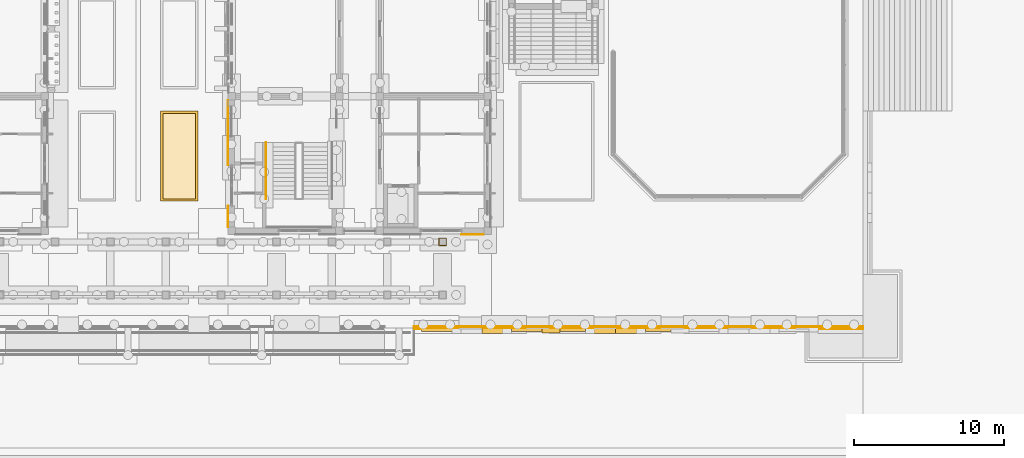
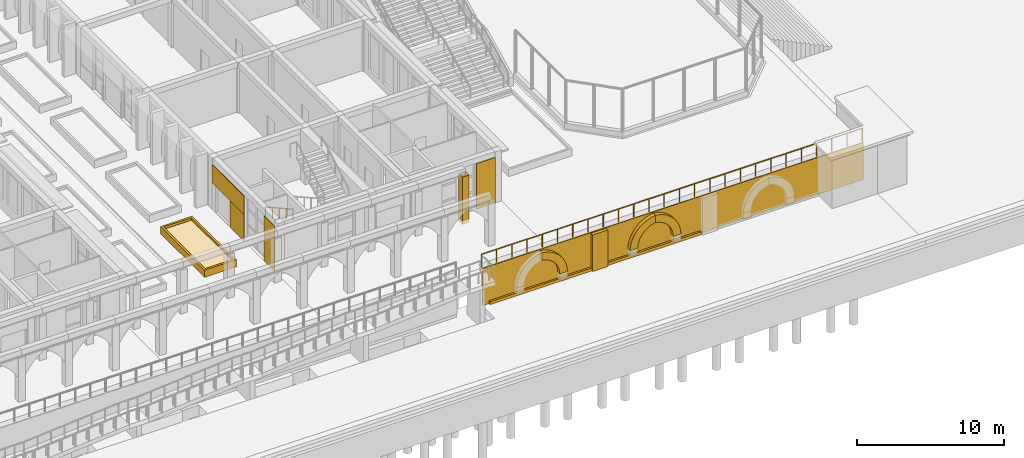
# One storey, part 126 of 161: 14 coverings, 2 railings.
"""IFC4 building model written with IfcOpenShell, lengths in metres."""

from ifc_helpers import new_model, si_unit, direction, frame, frame_2d, origin, origin_2d, place, context, subcontext, project, spatial, polyline, rectangle, circle, outline, extrude, material, layer, layer_set, type_object, element, save


model = new_model("IFC4")

# Units and contexts
model_context = context("Model", 3, precision=1e-05, world=origin(), true_north=direction((0.0, 1.0)))
body_context = subcontext(model_context, "Body", "Model", "MODEL_VIEW")
ifc_project = project(units=[si_unit("LENGTHUNIT", "METRE"), si_unit("AREAUNIT", "SQUARE_METRE"), si_unit("VOLUMEUNIT", "CUBIC_METRE"), si_unit("PLANEANGLEUNIT", "RADIAN"), si_unit("MASSUNIT", "GRAM", prefix="KILO")], contexts=[model_context])

# Site, building, storey
site_placement = place(None, origin())
site = spatial("IfcSite", under=ifc_project, at=site_placement, CompositionType="ELEMENT")
building_placement = place(site_placement, origin())
building = spatial("IfcBuilding", under=site, at=building_placement, Name="Elbe Cascade School", CompositionType="ELEMENT")
storey_placement = place(building_placement, origin())
storey = spatial("IfcBuildingStorey", under=building, at=storey_placement, Name="L00", CompositionType="ELEMENT", Elevation=0.0)

# Railing
ifc_material_1 = material(Name="Steel S355J2H, painted", Category="steel")
railing_type_1 = type_object("IfcRailingType", Name="Bar stair handrail 900", PredefinedType="HANDRAIL", material=ifc_material_1)
railing_1_placement = place(storey_placement, frame((160.10009765625, 11.89990234375, 0.16064453125)))
element("IfcRailing", 1, at=railing_1_placement, inside=storey, type_object=railing_type_1, Name="Stair handrail D0.S", PredefinedType="HANDRAIL", context=body_context, shape_type="SweptSolid", body=[
    extrude(circle(Radius=0.02392578125, at=origin_2d()), frame((0.0, 0.0, 0.8759765625), z_axis=(0.0, -0.874659101714, 0.484738543742), x_axis=(1.0, 0.0, 0.0)), (0.0, 0.0, 1.0), 4.310302734375),
    extrude(circle(Radius=0.02099609375, at=origin_2d()), origin(), (0.0, 0.0, 1.0), 0.851806640625),
    extrude(circle(Radius=0.02099609375, at=origin_2d()), frame((0.0, -0.9423828125, 0.5224609375)), (0.0, 0.0, 1.0), 0.851806640625),
    extrude(circle(Radius=0.02099609375, at=origin_2d()), frame((0.0, -1.885009765625, 1.044677734375)), (0.0, 0.0, 1.0), 0.851806640625),
    extrude(circle(Radius=0.02099609375, at=origin_2d()), frame((0.0, -2.82763671875, 1.56689453125)), (0.0, 0.0, 1.0), 0.851806640625),
    extrude(circle(Radius=0.02099609375, at=origin_2d()), frame((0.0, -3.77001953125, 2.08935546875)), (0.0, 0.0, 1.0), 0.851806640625),
])

# Coverings
ifc_material_2 = material(Name="Sandstone - red", Category="masonry")
ifc_layer_1 = layer(ifc_material_2, 0.0400390625)
ifc_layer_set_1 = layer_set([ifc_layer_1], Name="Sandstone - red")
covering_type_1 = type_object("IfcCoveringType", Name="Bars envelope Sandstone cladding, red, 40 mm", PredefinedType="CLADDING", material=ifc_layer_set_1)
covering_1_placement = place(storey_placement, frame((157.56005859375, 6.969970703125, 0.0), z_axis=(0.0, 0.0, 1.0), x_axis=(0.0, 1.0, 0.0)))
element("IfcCovering", 2, at=covering_1_placement, inside=storey, type_object=covering_type_1, Name="Sandstone cladding CV48 D.L00.w.1a.1", PredefinedType="CLADDING", context=body_context, shape_type="SweptSolid", body=[
    extrude(rectangle(XDim=1.43994140625, YDim=0.0400390625, at=origin_2d()), origin(), (0.0, 0.0, 1.0), 3.75),
])
covering_2_placement = place(storey_placement, frame((157.56005859375, 11.344970703125, 0.0), z_axis=(0.0, 0.0, 1.0), x_axis=(0.0, 1.0, 0.0)))
element("IfcCovering", 3, at=covering_2_placement, inside=storey, type_object=covering_type_1, Name="Sandstone cladding CV48 D.L00.w.1b.1", PredefinedType="CLADDING", context=body_context, shape_type="SweptSolid", body=[
    extrude(rectangle(XDim=1.909912109375, YDim=0.0400390625, at=origin_2d()), origin(), (0.0, 0.0, 1.0), 2.199951171875),
])
covering_3_placement = place(storey_placement, frame((157.56005859375, 12.570068359375, 2.2001953125), z_axis=(0.0, 0.0, 1.0), x_axis=(0.0, 1.0, 0.0)))
element("IfcCovering", 4, at=covering_3_placement, inside=storey, type_object=covering_type_1, Name="Sandstone cladding CV48 D.L00.w.1b.3", PredefinedType="CLADDING", context=body_context, shape_type="SweptSolid", body=[
    extrude(rectangle(XDim=4.360107421875, YDim=0.0400390625, at=origin_2d()), origin(), (0.0, 0.0, 1.0), 1.550048828125),
])
covering_4_placement = place(storey_placement, frame((173.89990234375, 5.760009765625, 0.0), z_axis=(0.0, 0.0, 1.0), x_axis=(1.0, 0.0, 0.0)))
element("IfcCovering", 5, at=covering_4_placement, inside=storey, type_object=covering_type_1, Name="Sandstone cladding CV48 D.L00.s.3b.1", PredefinedType="CLADDING", context=body_context, shape_type="SweptSolid", body=[
    extrude(rectangle(XDim=1.5, YDim=0.0400390625, at=origin_2d()), origin(), (0.0, 0.0, 1.0), 3.800048828125),
])
ifc_material_3 = material(Name="Sandstone - red", Category="masonry")
ifc_layer_2 = layer(ifc_material_3, 0.14990234375)
ifc_layer_set_2 = layer_set([ifc_layer_2], Name="Sandstone - red")
covering_type_2 = type_object("IfcCoveringType", Name="Plinth base course 150x250", PredefinedType="CLADDING", material=ifc_layer_set_2)
covering_5_placement = place(storey_placement, frame((0.0, 0.0, -3.10009765625)))
element("IfcCovering", 6, at=covering_5_placement, inside=storey, type_object=covering_type_2, Name="Plinth base course south 0.6.1", PredefinedType="CLADDING", context=body_context, shape_type="SweptSolid", body=[
    extrude(outline(polyline([(170.5, -0.7099609375), (178.533447265625, -0.7099609375), (178.533447265625, -0.56005859375), (170.5, -0.56005859375), (170.5, -0.7099609375)])), origin(), (0.0, 0.0, 1.0), 0.25),
])
covering_6_placement = place(storey_placement, frame((0.0, 0.0, -3.10009765625)))
element("IfcCovering", 7, at=covering_6_placement, inside=storey, type_object=covering_type_2, Name="Plinth base course south 0.6.2", PredefinedType="CLADDING", context=body_context, shape_type="SweptSolid", body=[
    extrude(outline(polyline([(179.7333984375, -0.7099609375), (187.166748046875, -0.7099609375), (187.166748046875, -0.56005859375), (179.7333984375, -0.56005859375), (179.7333984375, -0.7099609375)])), origin(), (0.0, 0.0, 1.0), 0.25),
])
ifc_material_4 = material(Name="Sandstone - red", Category="masonry")
ifc_layer_3 = layer(ifc_material_4, 0.300048828125)
ifc_layer_set_3 = layer_set([ifc_layer_3], Name="Sandstone - red")
covering_type_3 = type_object("IfcCoveringType", Name="Plinth niche arch band 600x300", PredefinedType="CLADDING", material=ifc_layer_set_3)
covering_7_placement = place(storey_placement, frame((176.492919921875, -0.860107421875, -2.021484375), z_axis=(0.0, -1.0, 0.0), x_axis=(-0.216459489286, 0.0, 0.976291600649)))
element("IfcCovering", 8, at=covering_7_placement, inside=storey, type_object=covering_type_3, Name="Plinth niche arch band south 0.6.1b", PredefinedType="CLADDING", context=body_context, shape_type="SweptSolid", body=[
    extrude(outline(polyline([(0.0, 0.0), (0.32934135960117644, 0.0), (0.6551644417049964, 0.04729296121112139), (0.9708493103907654, 0.14134607453088394), (1.2696973028493448, 0.28014356965241727), (1.545222228379718, 0.4603722209510249), (1.7917058001605646, 0.6787986155785705), (2.004304414248379, 0.9304949932625219), (2.178121620144654, 1.2102952412887826), (2.3095853888902678, 1.512239462730118), (1.7179946289265977, 1.643404612243703), (1.6153248124213089, 1.4318531562628691), (1.4838358872676634, 1.2369442025363775), (1.3265714168747689, 1.0622541235758152), (1.1460982597686034, 0.9114649850027724), (0.946254849459528, 0.7872267157841368), (0.7311708184544712, 0.6923747507733593), (0.5047644130403548, 0.6287911150576317), (0.2717487496053557, 0.5974313901794459), (0.036545745541084515, 0.5990656517947303), (-0.1961045165427231, 0.6336432251247164), (-0.3259485021812721, 0.048011276200165015), (0.0, 0.0)])), origin(), (0.0, 0.0, -1.0), 0.300048828125),
])
covering_8_placement = place(storey_placement, frame((181.449951171875, -0.860107421875, -2.35009765625), z_axis=(0.0, -1.0, 0.0), x_axis=(1.0, 0.0, 0.0)))
element("IfcCovering", 9, at=covering_8_placement, inside=storey, type_object=covering_type_3, Name="Plinth niche arch band south 0.6.2a", PredefinedType="CLADDING", context=body_context, shape_type="SweptSolid", body=[
    extrude(outline(polyline([(0.0, 0.0), (0.60009765625, 0.0), (0.616455078125, 0.234619140625), (0.665771484375, 0.464599609375), (0.746826171875, 0.685302734375), (0.858154296875, 0.892578125), (0.997314453125, 1.08203125), (1.16162109375, 1.250244140625), (1.347900390625, 1.393798828125), (1.552490234375, 1.509521484375), (1.771240234375, 1.595703125), (2.0, 1.650146484375), (2.0, 2.256103515625), (1.6767578125, 2.193115234375), (1.365966796875, 2.083984375), (1.074462890625, 1.930908203125), (0.807861328125, 1.737548828125), (0.572021484375, 1.507568359375), (0.3720703125, 1.245849609375), (0.2119140625, 0.9580078125), (0.094970703125, 0.650146484375), (0.02392578125, 0.32861328125), (0.0, 0.0)])), origin(), (0.0, 0.0, -1.0), 0.300048828125),
])
covering_9_placement = place(storey_placement, frame((185.426025390625, -0.860107421875, -2.021484375), z_axis=(0.0, -1.0, 0.0), x_axis=(-0.215752753128, 0.0, 0.976448027044)))
element("IfcCovering", 10, at=covering_9_placement, inside=storey, type_object=covering_type_3, Name="Plinth niche arch band south 0.6.2b", PredefinedType="CLADDING", context=body_context, shape_type="SweptSolid", body=[
    extrude(outline(polyline([(0.0, 0.0), (0.32928859931076776, 0.0), (0.6550773634947065, 0.04752879278133701), (0.9706940700222042, 0.14181038697143714), (1.2694415169352804, 0.2808241640277199), (1.544888587491183, 0.4614905948572066), (1.7911613148059853, 0.6798569564361285), (2.003577685153772, 0.9317071556807464), (2.1771923147486576, 1.211633146349308), (2.308437489582378, 1.513672447496494), (1.7167519419450257, 1.644409345266023), (1.614235281859136, 1.4327836281292001), (1.482834800144691, 1.2375411578157185), (1.325696818714002, 1.0627372902180776), (1.145332856180193, 0.9118175573579581), (0.9456321009340092, 0.7876730565534729), (0.730616783973809, 0.6926654298475355), (0.5042564622859574, 0.6289179286514578), (0.2712635593352524, 0.5973895458021641), (0.03605943394289521, 0.5988535575169711), (-0.19661579584269034, 0.6332627200943994), (-0.32603584331236496, 0.04753693824710932), (0.0, 0.0)])), origin(), (0.0, 0.0, -1.0), 0.300048828125),
])
ifc_material_5 = material(Name="Sandstone - red", Category="masonry")
ifc_layer_4 = layer(ifc_material_5, 0.25)
ifc_layer_set_4 = layer_set([ifc_layer_4], Name="Sandstone - red")
covering_type_4 = type_object("IfcCoveringType", Name="Plinth pilaster 1200x250", PredefinedType="CLADDING", material=ifc_layer_set_4)
covering_10_placement = place(storey_placement, frame((0.0, 0.0, -3.10009765625)))
element("IfcCovering", 11, at=covering_10_placement, inside=storey, type_object=covering_type_4, Name="Plinth pilaster south 0.6.1", PredefinedType="CLADDING", context=body_context, shape_type="SweptSolid", body=[
    extrude(outline(polyline([(178.533447265625, -0.81005859375), (179.7333984375, -0.81005859375), (179.7333984375, -0.56005859375), (178.533447265625, -0.56005859375), (178.533447265625, -0.81005859375)])), origin(), (0.0, 0.0, 1.0), 3.050048828125),
])

# Railing
ifc_material_6 = material(Name="Steel S355J2H", Category="steel")
railing_type_2 = type_object("IfcRailingType", Name="Quay and steps guard 1100", PredefinedType="GUARDRAIL", material=ifc_material_6)
railing_2_placement = place(storey_placement, frame((170.0, -0.39990234375, 0.0)))
element("IfcRailing", 12, at=railing_2_placement, inside=storey, type_object=railing_type_2, Name="Quay guard 3", PredefinedType="GUARDRAIL", context=body_context, shape_type="SweptSolid", body=[
    extrude(circle(Radius=0.02392578125, at=origin_2d()), frame((0.0, 0.0, 1.076171875), z_axis=(1.0, 0.0, 0.0), x_axis=(0.0, 1.0, 0.0)), (0.0, 0.0, 1.0), 30.0),
    extrude(circle(Radius=0.02099609375, at=origin_2d()), origin(), (0.0, 0.0, 1.0), 1.052001953125),
    extrude(circle(Radius=0.02099609375, at=origin_2d()), frame((1.199951171875, 0.0, 0.0)), (0.0, 0.0, 1.0), 1.052001953125),
    extrude(circle(Radius=0.02099609375, at=origin_2d()), frame((2.39990234375, 0.0, 0.0)), (0.0, 0.0, 1.0), 1.052001953125),
    extrude(circle(Radius=0.02099609375, at=origin_2d()), frame((3.60009765625, 0.0, 0.0)), (0.0, 0.0, 1.0), 1.052001953125),
    extrude(circle(Radius=0.02099609375, at=origin_2d()), frame((4.800048828125, 0.0, 0.0)), (0.0, 0.0, 1.0), 1.052001953125),
    extrude(circle(Radius=0.02099609375, at=origin_2d()), frame((6.0, 0.0, 0.0)), (0.0, 0.0, 1.0), 1.052001953125),
    extrude(circle(Radius=0.02099609375, at=origin_2d()), frame((7.199951171875, 0.0, 0.0)), (0.0, 0.0, 1.0), 1.052001953125),
    extrude(circle(Radius=0.02099609375, at=origin_2d()), frame((8.39990234375, 0.0, 0.0)), (0.0, 0.0, 1.0), 1.052001953125),
    extrude(circle(Radius=0.02099609375, at=origin_2d()), frame((9.60009765625, 0.0, 0.0)), (0.0, 0.0, 1.0), 1.052001953125),
    extrude(circle(Radius=0.02099609375, at=origin_2d()), frame((10.800048828125, 0.0, 0.0)), (0.0, 0.0, 1.0), 1.052001953125),
    extrude(circle(Radius=0.02099609375, at=origin_2d()), frame((12.0, 0.0, 0.0)), (0.0, 0.0, 1.0), 1.052001953125),
    extrude(circle(Radius=0.02099609375, at=origin_2d()), frame((13.199951171875, 0.0, 0.0)), (0.0, 0.0, 1.0), 1.052001953125),
    extrude(circle(Radius=0.02099609375, at=origin_2d()), frame((14.39990234375, 0.0, 0.0)), (0.0, 0.0, 1.0), 1.052001953125),
    extrude(circle(Radius=0.02099609375, at=origin_2d()), frame((15.60009765625, 0.0, 0.0)), (0.0, 0.0, 1.0), 1.052001953125),
    extrude(circle(Radius=0.02099609375, at=origin_2d()), frame((16.800048828125, 0.0, 0.0)), (0.0, 0.0, 1.0), 1.052001953125),
    extrude(circle(Radius=0.02099609375, at=origin_2d()), frame((18.0, 0.0, 0.0)), (0.0, 0.0, 1.0), 1.052001953125),
    extrude(circle(Radius=0.02099609375, at=origin_2d()), frame((19.199951171875, 0.0, 0.0)), (0.0, 0.0, 1.0), 1.052001953125),
    extrude(circle(Radius=0.02099609375, at=origin_2d()), frame((20.39990234375, 0.0, 0.0)), (0.0, 0.0, 1.0), 1.052001953125),
    extrude(circle(Radius=0.02099609375, at=origin_2d()), frame((21.60009765625, 0.0, 0.0)), (0.0, 0.0, 1.0), 1.052001953125),
    extrude(circle(Radius=0.02099609375, at=origin_2d()), frame((22.800048828125, 0.0, 0.0)), (0.0, 0.0, 1.0), 1.052001953125),
    extrude(circle(Radius=0.02099609375, at=origin_2d()), frame((24.0, 0.0, 0.0)), (0.0, 0.0, 1.0), 1.052001953125),
    extrude(circle(Radius=0.02099609375, at=origin_2d()), frame((25.199951171875, 0.0, 0.0)), (0.0, 0.0, 1.0), 1.052001953125),
    extrude(circle(Radius=0.02099609375, at=origin_2d()), frame((26.39990234375, 0.0, 0.0)), (0.0, 0.0, 1.0), 1.052001953125),
    extrude(circle(Radius=0.02099609375, at=origin_2d()), frame((27.60009765625, 0.0, 0.0)), (0.0, 0.0, 1.0), 1.052001953125),
    extrude(circle(Radius=0.02099609375, at=origin_2d()), frame((28.800048828125, 0.0, 0.0)), (0.0, 0.0, 1.0), 1.052001953125),
    extrude(circle(Radius=0.02099609375, at=origin_2d()), frame((30.0, 0.0, 0.0)), (0.0, 0.0, 1.0), 1.052001953125),
])

# Coverings
ifc_material_7 = material(Name="Sandstone - red", Category="masonry")
ifc_layer_5 = layer(ifc_material_7, 0.0400390625)
ifc_layer_set_5 = layer_set([ifc_layer_5], Name="Sandstone - red")
covering_type_5 = type_object("IfcCoveringType", Name="Sandstone column cladding 40", PredefinedType="CLADDING", material=ifc_layer_set_5)
covering_11_placement = place(storey_placement, frame((0.0, 0.0, -0.300048828125)))
element("IfcCovering", 13, at=covering_11_placement, inside=storey, type_object=covering_type_5, Name="Colonnade column sandstone cladding R45", PredefinedType="CLADDING", context=body_context, shape_type="SweptSolid", body=[
    extrude(outline(polyline([(171.635009765625, 5.010009765625), (172.1650390625, 5.010009765625), (172.1650390625, 5.5400390625), (171.635009765625, 5.5400390625), (171.635009765625, 5.010009765625)]), holes=[polyline([(171.675048828125, 5.5), (172.125, 5.5), (172.125, 5.050048828125), (171.675048828125, 5.050048828125), (171.675048828125, 5.5)])]), origin(), (0.0, 0.0, 1.0), 3.949951171875),
])
ifc_material_8 = material(Name="Sandstone - red", Category="masonry")
ifc_layer_6 = layer(ifc_material_8, 0.06005859375)
ifc_layer_set_6 = layer_set([ifc_layer_6], Name="Sandstone - red")
covering_type_6 = type_object("IfcCoveringType", Name="Sandstone facing 60", PredefinedType="CLADDING", material=ifc_layer_set_6)
covering_12_placement = place(storey_placement, frame((170.0, -0.530029296875, -3.10009765625), z_axis=(0.0, 0.0, 1.0), x_axis=(1.0, 0.0, 0.0)))
element("IfcCovering", 14, at=covering_12_placement, inside=storey, type_object=covering_type_6, Name="Quay wall sandstone facing 3", PredefinedType="CLADDING", context=body_context, shape_type="SweptSolid", body=[
    extrude(rectangle(XDim=30.0, YDim=0.06005859375, at=frame_2d((15.0, 0.0))), origin(), (0.0, 0.0, 1.0), 3.10009765625),
])
ifc_material_9 = material(Name="Planting - soil and shrubs", Category="soil")
ifc_layer_7 = layer(ifc_material_9, 0.39990234375)
ifc_layer_set_7 = layer_set([ifc_layer_7], Name="Planting - soil and shrubs")
covering_type_7 = type_object("IfcCoveringType", Name="Site planting bed 400", PredefinedType="USERDEFINED", material=ifc_layer_set_7)
covering_13_placement = place(storey_placement, origin())
element("IfcCovering", 15, at=covering_13_placement, inside=storey, type_object=covering_type_7, Name="Court C-D planting bed east 1", ObjectType="PLANTING BED", PredefinedType="USERDEFINED", context=body_context, shape_type="SweptSolid", body=[
    extrude(outline(polyline([(153.199951171875, 8.14990234375), (155.39990234375, 8.14990234375), (155.39990234375, 13.85009765625), (153.199951171875, 13.85009765625), (153.199951171875, 8.14990234375)])), origin(), (0.0, 0.0, 1.0), 0.39990234375),
])
ifc_material_10 = material(Name="Concrete C30/37 precast kerb", Category="concrete")
ifc_layer_8 = layer(ifc_material_10, 0.14990234375)
ifc_layer_set_8 = layer_set([ifc_layer_8], Name="Concrete C30/37 precast kerb")
covering_type_8 = type_object("IfcCoveringType", Name="Site planting bed kerb 150x600", PredefinedType="CLADDING", material=ifc_layer_set_8)
covering_14_placement = place(storey_placement, origin())
element("IfcCovering", 16, at=covering_14_placement, inside=storey, type_object=covering_type_8, Name="Court C-D planting bed kerb east 1", PredefinedType="CLADDING", context=body_context, shape_type="SweptSolid", body=[
    extrude(outline(polyline([(153.050048828125, 8.0), (155.550048828125, 8.0), (155.550048828125, 14.0), (153.050048828125, 14.0), (153.050048828125, 8.0)]), holes=[polyline([(153.199951171875, 8.14990234375), (155.39990234375, 8.14990234375), (155.39990234375, 13.85009765625), (153.199951171875, 13.85009765625), (153.199951171875, 8.14990234375)])]), origin(), (0.0, 0.0, 1.0), 0.60009765625),
])

save(model, "model.ifc")
